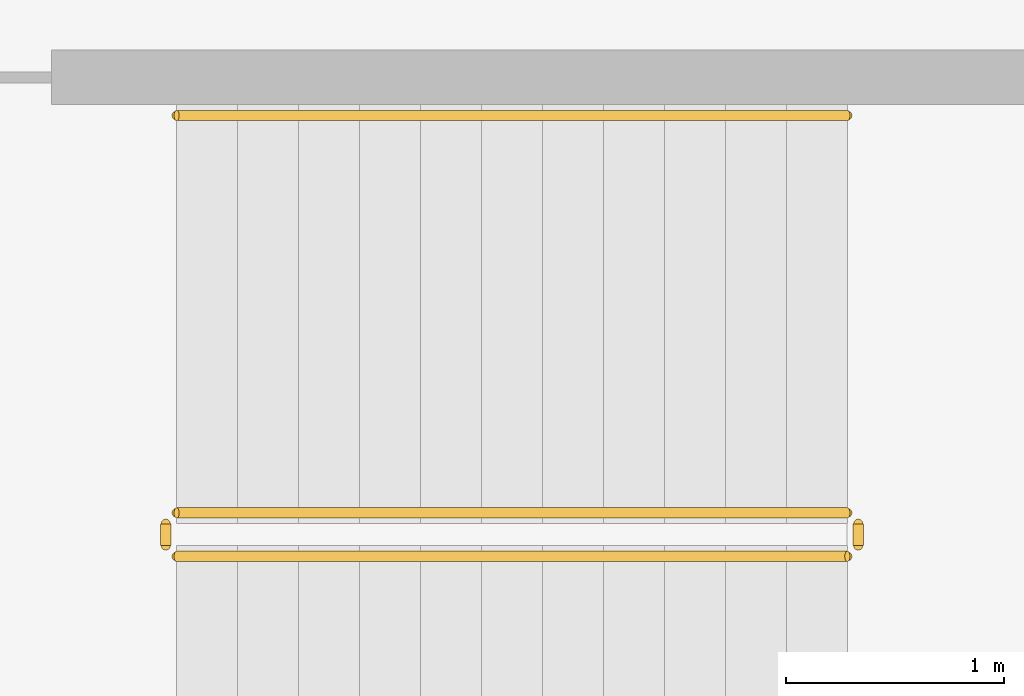
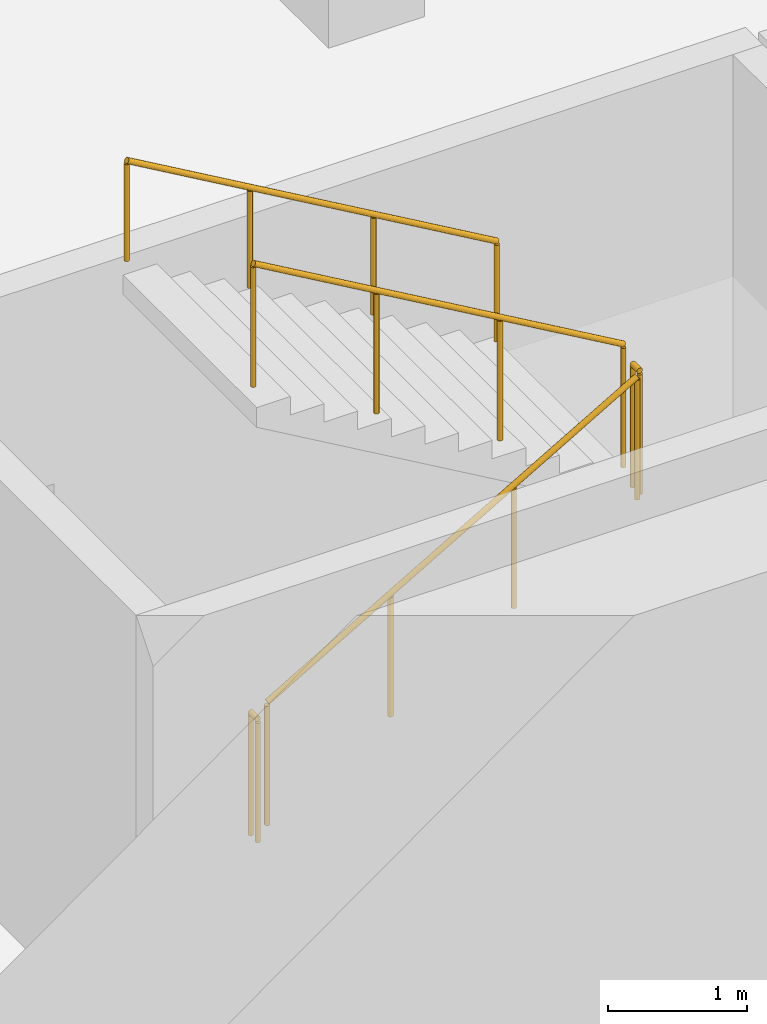
# One storey, part 22 of 27: 5 railings.
"""IFC4 building model written with IfcOpenShell, lengths in metres."""

from ifc_helpers import new_model, si_unit, direction, frame, origin, origin_2d, place, context, subcontext, project, spatial, circle, extrude, material, type_object, element, save


model = new_model("IFC4")

# Units and contexts
model_context = context("Model", 3, precision=1e-05, world=origin(), true_north=direction((0.0, 1.0)))
body_context = subcontext(model_context, "Body", "Model", "MODEL_VIEW")
ifc_project = project(units=[si_unit("LENGTHUNIT", "METRE"), si_unit("AREAUNIT", "SQUARE_METRE"), si_unit("VOLUMEUNIT", "CUBIC_METRE"), si_unit("PLANEANGLEUNIT", "RADIAN"), si_unit("MASSUNIT", "GRAM", prefix="KILO")], contexts=[model_context])

# Site, building, storey
site_placement = place(None, origin())
site = spatial("IfcSite", under=ifc_project, at=site_placement, CompositionType="ELEMENT")
building_placement = place(site_placement, origin())
building = spatial("IfcBuilding", under=site, at=building_placement, Name="Verdalira Terraces Hotel", CompositionType="ELEMENT")
storey_placement = place(building_placement, frame((0.0, 0.0, -11.699951)))
storey = spatial("IfcBuildingStorey", under=building, at=storey_placement, Name="B3", CompositionType="ELEMENT", Elevation=-11.699951171875)

# Railings
ifc_material_1 = material(Name="Stainless steel", Category="steel")
railing_type_1 = type_object("IfcRailingType", Name="Stair guard 1100", PredefinedType="GUARDRAIL", material=ifc_material_1)
railing_1_placement = place(storey_placement, frame((11.024902, -50.324951, 0.162354)))
element("IfcRailing", 1, at=railing_1_placement, inside=storey, type_object=railing_type_1, Name="B3 Basement stair 6 stair guard 1", PredefinedType="GUARDRAIL", context=body_context, shape_type="SweptSolid", body=[
    extrude(circle(Radius=0.023926, at=origin_2d()), frame((0.0, 0.0, 1.076172), z_axis=(0.864890721, 0.0, 0.501960198), x_axis=(0.0, 1.0, 0.0)), (0.0, 0.0, 1.0), 3.561279),
    extrude(circle(Radius=0.020996, at=origin_2d()), origin(), (0.0, 0.0, 1.0), 1.052002),
    extrude(circle(Radius=0.020996, at=origin_2d()), frame((1.026611, 0.0, 0.595947)), (0.0, 0.0, 1.0), 1.052002),
    extrude(circle(Radius=0.020996, at=origin_2d()), frame((2.053467, 0.0, 1.19165)), (0.0, 0.0, 1.0), 1.052002),
    extrude(circle(Radius=0.020996, at=origin_2d()), frame((3.080078, 0.0, 1.787598)), (0.0, 0.0, 1.0), 1.052002),
])
railing_2_placement = place(storey_placement, frame((14.155029, -50.274902, 1.949951)))
element("IfcRailing", 2, at=railing_2_placement, inside=storey, type_object=railing_type_1, Name="B3 Basement stair 6 stair guard 2", PredefinedType="GUARDRAIL", context=body_context, shape_type="SweptSolid", body=[
    extrude(circle(Radius=0.023926, at=origin_2d()), frame((0.0, 0.0, 1.076172), z_axis=(0.0, 1.0, 0.0), x_axis=(-1.0, 0.0, 0.0)), (0.0, 0.0, 1.0), 0.099854),
    extrude(circle(Radius=0.020996, at=origin_2d()), origin(), (0.0, 0.0, 1.0), 1.052002),
    extrude(circle(Radius=0.020996, at=origin_2d()), frame((0.0, 0.099854, 0.0)), (0.0, 0.0, 1.0), 1.052002),
])
railing_3_placement = place(storey_placement, frame((14.10498, -50.125, 2.112549)))
element("IfcRailing", 3, at=railing_3_placement, inside=storey, type_object=railing_type_1, Name="B3 Basement stair 6 stair guard 3", PredefinedType="GUARDRAIL", context=body_context, shape_type="SweptSolid", body=[
    extrude(circle(Radius=0.023926, at=origin_2d()), frame((0.0, 0.0, 1.076172), z_axis=(-0.864920483, 0.0, 0.501908914), x_axis=(0.0, -1.0, 0.0)), (0.0, 0.0, 1.0), 3.561035),
    extrude(circle(Radius=0.020996, at=origin_2d()), origin(), (0.0, 0.0, 1.0), 1.052002),
    extrude(circle(Radius=0.020996, at=origin_2d()), frame((-1.026611, 0.0, 0.595703)), (0.0, 0.0, 1.0), 1.052002),
    extrude(circle(Radius=0.020996, at=origin_2d()), frame((-2.053467, 0.0, 1.19165)), (0.0, 0.0, 1.0), 1.052002),
    extrude(circle(Radius=0.020996, at=origin_2d()), frame((-3.080078, 0.0, 1.787354)), (0.0, 0.0, 1.0), 1.052002),
])
railing_4_placement = place(storey_placement, frame((10.975098, -50.274902, 0.0)))
element("IfcRailing", 4, at=railing_4_placement, inside=storey, type_object=railing_type_1, Name="B3 Basement stair 6 stair guard 4", PredefinedType="GUARDRAIL", context=body_context, shape_type="SweptSolid", body=[
    extrude(circle(Radius=0.023926, at=origin_2d()), frame((0.0, 0.0, 1.076172), z_axis=(0.0, 1.0, 0.0), x_axis=(-1.0, 0.0, 0.0)), (0.0, 0.0, 1.0), 0.099854),
    extrude(circle(Radius=0.020996, at=origin_2d()), origin(), (0.0, 0.0, 1.0), 1.052002),
    extrude(circle(Radius=0.020996, at=origin_2d()), frame((0.0, 0.099854, 0.0)), (0.0, 0.0, 1.0), 1.052002),
])
ifc_material_2 = material(Name="Stainless steel", Category="steel")
railing_type_2 = type_object("IfcRailingType", Name="Stair handrail 900", PredefinedType="HANDRAIL", material=ifc_material_2)
railing_5_placement = place(storey_placement, frame((14.10498, -48.300049, 2.112549)))
element("IfcRailing", 5, at=railing_5_placement, inside=storey, type_object=railing_type_2, Name="B3 Basement stair 6 stair handrail 2", PredefinedType="HANDRAIL", context=body_context, shape_type="SweptSolid", body=[
    extrude(circle(Radius=0.023926, at=origin_2d()), frame((0.0, 0.0, 0.875977), z_axis=(-0.864920483, 0.0, 0.501908914), x_axis=(0.0, -1.0, 0.0)), (0.0, 0.0, 1.0), 3.561035),
    extrude(circle(Radius=0.020996, at=origin_2d()), origin(), (0.0, 0.0, 1.0), 0.851807),
    extrude(circle(Radius=0.020996, at=origin_2d()), frame((-1.026611, 0.0, 0.595703)), (0.0, 0.0, 1.0), 0.851807),
    extrude(circle(Radius=0.020996, at=origin_2d()), frame((-2.053467, 0.0, 1.19165)), (0.0, 0.0, 1.0), 0.851807),
    extrude(circle(Radius=0.020996, at=origin_2d()), frame((-3.080078, 0.0, 1.787354)), (0.0, 0.0, 1.0), 0.851807),
])

save(model, "model.ifc")
